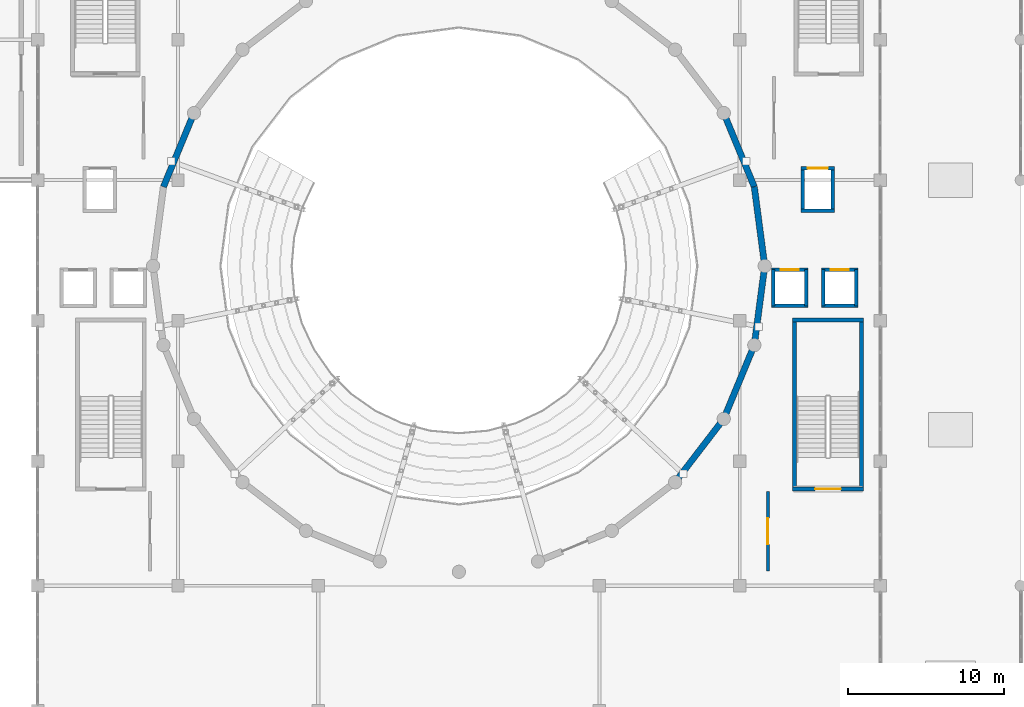
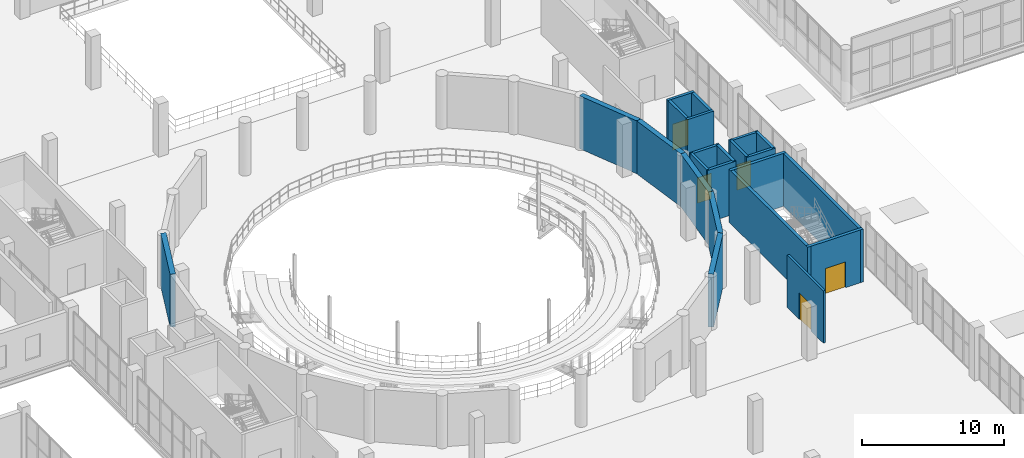
# One storey, part 72 of 93: 23 walls, 5 doors, 5 openings.
"""IFC4 building model written with IfcOpenShell, lengths in metres."""

from ifc_helpers import new_model, si_unit, direction, frame, frame_2d, origin, place, context, subcontext, project, spatial, rectangle, extrude, material, layer, layer_set, type_object, element, fill, save


model = new_model("IFC4")

# Units and contexts
model_context = context("Model", 3, precision=1e-05, world=origin(), true_north=direction((0.0, 1.0)))
body_context = subcontext(model_context, "Body", "Model", "MODEL_VIEW")
ifc_project = project(units=[si_unit("LENGTHUNIT", "METRE"), si_unit("AREAUNIT", "SQUARE_METRE"), si_unit("VOLUMEUNIT", "CUBIC_METRE"), si_unit("PLANEANGLEUNIT", "RADIAN"), si_unit("MASSUNIT", "GRAM", prefix="KILO")], contexts=[model_context])

# Site, building, storey
site_placement = place(None, origin())
site = spatial("IfcSite", under=ifc_project, at=site_placement, CompositionType="ELEMENT")
building_placement = place(site_placement, origin())
building = spatial("IfcBuilding", under=site, at=building_placement, Name="Marnock Terrace Opera House", CompositionType="ELEMENT")
storey_placement = place(building_placement, frame((0.0, 0.0, 5.39990234375)))
storey = spatial("IfcBuildingStorey", under=building, at=storey_placement, Name="L01", CompositionType="ELEMENT", Elevation=5.39990234375)

# Wall, opening, door
ifc_material_1 = material(Name="Rendered acoustic concrete blockwork", Category="masonry")
ifc_layer_1 = layer(ifc_material_1, 0.18505859375)
ifc_layer_set_1 = layer_set([ifc_layer_1], Name="Rendered acoustic concrete blockwork")
wall_type_1 = type_object("IfcWallType", Name="IW-FIRE-185", PredefinedType="PARTITIONING", material=ifc_layer_set_1)
wall_1_placement = place(storey_placement, frame((101.800048828125, 40.949951171875, 0.0), z_axis=(0.0, 0.0, 1.0), x_axis=(0.0, 1.0, 0.0)))
wall_1 = element("IfcWall", 1, at=wall_1_placement, inside=storey, type_object=wall_type_1, Name="L01 C2 fire-rated lift and stair lobby wall", PredefinedType="PARTITIONING", context=body_context, shape_type="SweptSolid", body=[
    extrude(rectangle(XDim=5.10009765625, YDim=0.18505859375, at=frame_2d((2.550048828125, 0.0))), origin(), (0.0, 0.0, 1.0), 4.489990234375),
])
opening_1_placement = place(wall_1_placement, frame((1.7099609375, 0.0, 0.0)))
opening_1 = element("IfcOpeningElement", 2, at=opening_1_placement, cuts=wall_1, Name="Opening FD-C2-L01", PredefinedType="OPENING", context=body_context, shape_type="SweptSolid", body=[
    extrude(rectangle(XDim=1.679931640625, YDim=2.25, at=frame_2d((0.83984375, 1.125))), frame((0.0, 0.1025390625, 0.0), z_axis=(0.0, -1.0, 0.0), x_axis=(1.0, 0.0, 0.0)), (0.0, 0.0, 1.0), 0.205078125),
])
ifc_material_2 = material(Name="Fire-rated acoustic timber-core door assembly", Category="wood")
door_type_1 = type_object("IfcDoorType", Name="DT-LOBBY-1680", OperationType="NOTDEFINED", PredefinedType="DOOR", material=ifc_material_2)
door_1_placement = place(opening_1_placement, origin())
door_1 = element("IfcDoor", 3, at=door_1_placement, inside=storey, type_object=door_type_1, Name="L01 C2 lobby self-closing smoke door", OperationType="SINGLE_SWING_RIGHT", OverallHeight=2.25, OverallWidth=1.679931640625, PredefinedType="DOOR", context=body_context, shape_type="SweptSolid", body=[
    extrude(rectangle(XDim=1.679931640625, YDim=2.25, at=frame_2d((0.83984375, 1.125))), frame((0.0, 0.02490234375, 0.0), z_axis=(0.0, -1.0, 0.0), x_axis=(1.0, 0.0, 0.0)), (0.0, 0.0, 1.0), 0.050048828125),
])
fill(opening_1, door_1)

ifc_layer_2 = layer(ifc_material_1, 0.22509765625)
ifc_layer_set_2 = layer_set([ifc_layer_2], Name="Rendered acoustic concrete blockwork")
wall_type_2 = type_object("IfcWallType", Name="IW-SHAFT-225", PredefinedType="SOLIDWALL", material=ifc_layer_set_2)
wall_2_placement = place(storey_placement, frame((102.027587890625, 60.260009765625, 0.0), z_axis=(0.0, 0.0, 1.0), x_axis=(1.0, 0.0, 0.0)))
wall_2 = element("IfcWall", 4, at=wall_2_placement, inside=storey, type_object=wall_type_2, Name="L01 Lift PL-03 front shaft wall", PredefinedType="SOLIDWALL", context=body_context, shape_type="SweptSolid", body=[
    extrude(rectangle(XDim=2.344970703125, YDim=0.22509765625, at=frame_2d((1.17236328125, 0.0))), origin(), (0.0, 0.0, 1.0), 4.489990234375),
])
opening_2_placement = place(wall_2_placement, frame((0.597412109375, 0.0, 0.0)))
opening_2 = element("IfcOpeningElement", 5, at=opening_2_placement, cuts=wall_2, Name="Opening LD-PL-03-L01", PredefinedType="OPENING", context=body_context, shape_type="SweptSolid", body=[
    extrude(rectangle(XDim=1.14990234375, YDim=2.199951171875, at=frame_2d((0.574951171875, 1.10009765625))), frame((0.0, 0.12255859375, 0.0), z_axis=(0.0, -1.0, 0.0), x_axis=(1.0, 0.0, 0.0)), (0.0, 0.0, 1.0), 0.2451171875),
])
ifc_material_3 = material(Name="Brushed stainless steel landing door assembly", Category="steel")
door_type_2 = type_object("IfcDoorType", Name="DT-LIFT-1150", OperationType="NOTDEFINED", PredefinedType="DOOR", material=ifc_material_3)
door_2_placement = place(opening_2_placement, origin())
door_2 = element("IfcDoor", 6, at=door_2_placement, inside=storey, type_object=door_type_2, Name="L01 Lift PL-03 sliding landing door", OperationType="DOUBLE_DOOR_SLIDING", OverallHeight=2.199951171875, OverallWidth=1.14990234375, PredefinedType="DOOR", context=body_context, shape_type="SweptSolid", body=[
    extrude(rectangle(XDim=1.14990234375, YDim=2.199951171875, at=frame_2d((0.574951171875, 1.10009765625))), frame((0.0, 0.02490234375, 0.0), z_axis=(0.0, -1.0, 0.0), x_axis=(1.0, 0.0, 0.0)), (0.0, 0.0, 1.0), 0.050048828125),
])
fill(opening_2, door_2)

# Walls
wall_3_placement = place(storey_placement, frame((102.027587890625, 57.93994140625, 0.0), z_axis=(0.0, 0.0, 1.0), x_axis=(1.0, 0.0, 0.0)))
element("IfcWall", 7, at=wall_3_placement, inside=storey, type_object=wall_type_2, Name="L01 Lift PL-03 rear shaft wall", PredefinedType="SOLIDWALL", context=body_context, shape_type="SweptSolid", body=[
    extrude(rectangle(XDim=2.344970703125, YDim=0.22509765625, at=frame_2d((1.17236328125, 0.0))), origin(), (0.0, 0.0, 1.0), 4.489990234375),
])
for number, where, z_axis, x_axis, name in (
    (8, (102.139892578125, 57.93994140625, 0.0), (0.0, 0.0, 1.0), (0.0, 1.0, 0.0), "L01 Lift PL-03 west shaft wall"),
    (9, (104.260009765625, 57.93994140625, 0.0), (0.0, 0.0, 1.0), (0.0, 1.0, 0.0), "L01 Lift PL-03 east shaft wall"),
):
    element("IfcWall", number, at=place(storey_placement, frame(where, z_axis=z_axis, x_axis=x_axis)), inside=storey, type_object=wall_type_2, Name=name, PredefinedType="SOLIDWALL", context=body_context, shape_type="SweptSolid", body=[
        extrude(rectangle(XDim=2.320068359375, YDim=0.22509765625, at=frame_2d((1.16015625, 0.0))), origin(), (0.0, 0.0, 1.0), 4.489990234375),
    ])

# Wall, opening, door
wall_4_placement = place(storey_placement, frame((105.2275390625, 60.260009765625, 0.0), z_axis=(0.0, 0.0, 1.0), x_axis=(1.0, 0.0, 0.0)))
wall_4 = element("IfcWall", 10, at=wall_4_placement, inside=storey, type_object=wall_type_2, Name="L01 Lift PL-04 front shaft wall", PredefinedType="SOLIDWALL", context=body_context, shape_type="SweptSolid", body=[
    extrude(rectangle(XDim=2.344970703125, YDim=0.22509765625, at=frame_2d((1.17236328125, 0.0))), origin(), (0.0, 0.0, 1.0), 4.489990234375),
])
opening_3_placement = place(wall_4_placement, frame((0.597412109375, 0.0, 0.0)))
opening_3 = element("IfcOpeningElement", 11, at=opening_3_placement, cuts=wall_4, Name="Opening LD-PL-04-L01", PredefinedType="OPENING", context=body_context, shape_type="SweptSolid", body=[
    extrude(rectangle(XDim=1.14990234375, YDim=2.199951171875, at=frame_2d((0.574951171875, 1.10009765625))), frame((0.0, 0.12255859375, 0.0), z_axis=(0.0, -1.0, 0.0), x_axis=(1.0, 0.0, 0.0)), (0.0, 0.0, 1.0), 0.2451171875),
])
door_3_placement = place(opening_3_placement, origin())
door_3 = element("IfcDoor", 12, at=door_3_placement, inside=storey, type_object=door_type_2, Name="L01 Lift PL-04 sliding landing door", OperationType="DOUBLE_DOOR_SLIDING", OverallHeight=2.199951171875, OverallWidth=1.14990234375, PredefinedType="DOOR", context=body_context, shape_type="SweptSolid", body=[
    extrude(rectangle(XDim=1.14990234375, YDim=2.199951171875, at=frame_2d((0.574951171875, 1.10009765625))), frame((0.0, 0.02490234375, 0.0), z_axis=(0.0, -1.0, 0.0), x_axis=(1.0, 0.0, 0.0)), (0.0, 0.0, 1.0), 0.050048828125),
])
fill(opening_3, door_3)

# Walls
wall_5_placement = place(storey_placement, frame((105.2275390625, 57.93994140625, 0.0), z_axis=(0.0, 0.0, 1.0), x_axis=(1.0, 0.0, 0.0)))
element("IfcWall", 13, at=wall_5_placement, inside=storey, type_object=wall_type_2, Name="L01 Lift PL-04 rear shaft wall", PredefinedType="SOLIDWALL", context=body_context, shape_type="SweptSolid", body=[
    extrude(rectangle(XDim=2.344970703125, YDim=0.22509765625, at=frame_2d((1.17236328125, 0.0))), origin(), (0.0, 0.0, 1.0), 4.489990234375),
])
for number, where, z_axis, x_axis, name in (
    (14, (105.340087890625, 57.93994140625, 0.0), (0.0, 0.0, 1.0), (0.0, 1.0, 0.0), "L01 Lift PL-04 west shaft wall"),
    (15, (107.4599609375, 57.93994140625, 0.0), (0.0, 0.0, 1.0), (0.0, 1.0, 0.0), "L01 Lift PL-04 east shaft wall"),
):
    element("IfcWall", number, at=place(storey_placement, frame(where, z_axis=z_axis, x_axis=x_axis)), inside=storey, type_object=wall_type_2, Name=name, PredefinedType="SOLIDWALL", context=body_context, shape_type="SweptSolid", body=[
        extrude(rectangle(XDim=2.320068359375, YDim=0.22509765625, at=frame_2d((1.16015625, 0.0))), origin(), (0.0, 0.0, 1.0), 4.489990234375),
    ])

# Wall, opening, door
wall_6_placement = place(storey_placement, frame((103.927490234375, 66.760009765625, 0.0), z_axis=(0.0, 0.0, 1.0), x_axis=(1.0, 0.0, 0.0)))
wall_6 = element("IfcWall", 16, at=wall_6_placement, inside=storey, type_object=wall_type_2, Name="L01 Lift EL-02 front shaft wall", PredefinedType="SOLIDWALL", context=body_context, shape_type="SweptSolid", body=[
    extrude(rectangle(XDim=2.14501953125, YDim=0.22509765625, at=frame_2d((1.072509765625, 0.0))), origin(), (0.0, 0.0, 1.0), 4.489990234375),
])
opening_4_placement = place(wall_6_placement, frame((0.422607421875, 0.0, 0.0)))
opening_4 = element("IfcOpeningElement", 17, at=opening_4_placement, cuts=wall_6, Name="Opening LD-EL-02-L01", PredefinedType="OPENING", context=body_context, shape_type="SweptSolid", body=[
    extrude(rectangle(XDim=1.300048828125, YDim=2.25, at=frame_2d((0.64990234375, 1.125))), frame((0.0, 0.12255859375, 0.0), z_axis=(0.0, -1.0, 0.0), x_axis=(1.0, 0.0, 0.0)), (0.0, 0.0, 1.0), 0.2451171875),
])
door_type_3 = type_object("IfcDoorType", Name="DT-LIFT-1300", OperationType="NOTDEFINED", PredefinedType="DOOR", material=ifc_material_3)
door_4_placement = place(opening_4_placement, origin())
door_4 = element("IfcDoor", 18, at=door_4_placement, inside=storey, type_object=door_type_3, Name="L01 Lift EL-02 sliding landing door", OperationType="DOUBLE_DOOR_SLIDING", OverallHeight=2.25, OverallWidth=1.300048828125, PredefinedType="DOOR", context=body_context, shape_type="SweptSolid", body=[
    extrude(rectangle(XDim=1.300048828125, YDim=2.25, at=frame_2d((0.64990234375, 1.125))), frame((0.0, 0.02490234375, 0.0), z_axis=(0.0, -1.0, 0.0), x_axis=(1.0, 0.0, 0.0)), (0.0, 0.0, 1.0), 0.050048828125),
])
fill(opening_4, door_4)

# Walls
wall_7_placement = place(storey_placement, frame((103.927490234375, 64.0400390625, 0.0), z_axis=(0.0, 0.0, 1.0), x_axis=(1.0, 0.0, 0.0)))
element("IfcWall", 19, at=wall_7_placement, inside=storey, type_object=wall_type_2, Name="L01 Lift EL-02 rear shaft wall", PredefinedType="SOLIDWALL", context=body_context, shape_type="SweptSolid", body=[
    extrude(rectangle(XDim=2.14501953125, YDim=0.22509765625, at=frame_2d((1.072509765625, 0.0))), origin(), (0.0, 0.0, 1.0), 4.489990234375),
])
for number, where, z_axis, x_axis, name in (
    (20, (104.0400390625, 64.0400390625, 0.0), (0.0, 0.0, 1.0), (0.0, 1.0, 0.0), "L01 Lift EL-02 west shaft wall"),
    (21, (105.9599609375, 64.0400390625, 0.0), (0.0, 0.0, 1.0), (0.0, 1.0, 0.0), "L01 Lift EL-02 east shaft wall"),
):
    element("IfcWall", number, at=place(storey_placement, frame(where, z_axis=z_axis, x_axis=x_axis)), inside=storey, type_object=wall_type_2, Name=name, PredefinedType="SOLIDWALL", context=body_context, shape_type="SweptSolid", body=[
        extrude(rectangle(XDim=2.719970703125, YDim=0.22509765625, at=frame_2d((1.35986328125, 0.0))), origin(), (0.0, 0.0, 1.0), 4.489990234375),
    ])

# Wall, opening, door
ifc_material_4 = material(Name="Concrete N40 (f'c = 40 MPa)", Category="concrete")
ifc_layer_3 = layer(ifc_material_4, 0.25)
ifc_layer_set_3 = layer_set([ifc_layer_3], Name="Concrete N40 (f'c = 40 MPa)")
wall_type_3 = type_object("IfcWallType", Name="SW-CORE-250", PredefinedType="SHEAR", material=ifc_layer_set_3)
wall_8_placement = place(storey_placement, frame((103.39501953125, 46.199951171875, 0.0), z_axis=(0.0, 0.0, 1.0), x_axis=(1.0, 0.0, 0.0)))
wall_8 = element("IfcWall", 22, at=wall_8_placement, inside=storey, type_object=wall_type_3, Name="L01 Core C2 FRL 120/120/120 shear wall S", PredefinedType="SHEAR", context=body_context, shape_type="SweptSolid", body=[
    extrude(rectangle(XDim=4.530029296875, YDim=0.25, at=frame_2d((2.26513671875, 0.0))), origin(), (0.0, 0.0, 1.0), 4.5400390625),
])
opening_5_placement = place(wall_8_placement, frame((1.43994140625, 0.0, 0.0)))
opening_5 = element("IfcOpeningElement", 23, at=opening_5_placement, cuts=wall_8, Name="Opening SD-C2-L01", PredefinedType="OPENING", context=body_context, shape_type="SweptSolid", body=[
    extrude(rectangle(XDim=1.64990234375, YDim=2.219970703125, at=frame_2d((0.824951171875, 1.10986328125))), frame((0.0, 0.135009765625, 0.0), z_axis=(0.0, -1.0, 0.0), x_axis=(1.0, 0.0, 0.0)), (0.0, 0.0, 1.0), 0.27001953125),
])
door_type_4 = type_object("IfcDoorType", Name="DT-STAIR-1650", OperationType="NOTDEFINED", PredefinedType="DOOR", material=ifc_material_2)
door_5_placement = place(opening_5_placement, origin())
door_5 = element("IfcDoor", 24, at=door_5_placement, inside=storey, type_object=door_type_4, Name="L01 Stair ST-02 fire-isolated exit door", OperationType="SINGLE_SWING_LEFT", OverallHeight=2.219970703125, OverallWidth=1.64990234375, PredefinedType="DOOR", context=body_context, shape_type="SweptSolid", body=[
    extrude(rectangle(XDim=1.64990234375, YDim=2.219970703125, at=frame_2d((0.824951171875, 1.10986328125))), frame((0.0, 0.02490234375, 0.0), z_axis=(0.0, -1.0, 0.0), x_axis=(1.0, 0.0, 0.0)), (0.0, 0.0, 1.0), 0.050048828125),
])
fill(opening_5, door_5)

# Walls
wall_9_placement = place(storey_placement, frame((103.39501953125, 57.0400390625, 0.0), z_axis=(0.0, 0.0, 1.0), x_axis=(1.0, 0.0, 0.0)))
element("IfcWall", 25, at=wall_9_placement, inside=storey, type_object=wall_type_3, Name="L01 Core C2 FRL 120/120/120 shear wall N", PredefinedType="SHEAR", context=body_context, shape_type="SweptSolid", body=[
    extrude(rectangle(XDim=4.530029296875, YDim=0.25, at=frame_2d((2.26513671875, 0.0))), origin(), (0.0, 0.0, 1.0), 4.5400390625),
])
for number, where, z_axis, x_axis, name in (
    (26, (103.52001953125, 46.074951171875, 0.0), (0.0, 0.0, 1.0), (0.0, 1.0, 0.0), "L01 Core C2 FRL 120/120/120 shear wall W"),
    (27, (107.800048828125, 46.074951171875, 0.0), (0.0, 0.0, 1.0), (0.0, 1.0, 0.0), "L01 Core C2 FRL 120/120/120 shear wall E"),
):
    element("IfcWall", number, at=place(storey_placement, frame(where, z_axis=z_axis, x_axis=x_axis)), inside=storey, type_object=wall_type_3, Name=name, PredefinedType="SHEAR", context=body_context, shape_type="SweptSolid", body=[
        extrude(rectangle(XDim=11.090087890625, YDim=0.25, at=frame_2d((5.544921875, 0.0))), origin(), (0.0, 0.0, 1.0), 4.5400390625),
    ])
ifc_material_5 = material(Name="Concrete N50 (f'c = 50 MPa)", Category="concrete")
ifc_layer_4 = layer(ifc_material_5, 0.39990234375)
ifc_layer_set_4 = layer_set([ifc_layer_4], Name="Concrete N50 (f'c = 50 MPa)")
wall_type_4 = type_object("IfcWallType", Name="SW-DRUM-400", PredefinedType="SHEAR", material=ifc_layer_set_4)
wall_10_placement = place(storey_placement, frame((101.60009765625, 60.5, 0.0), z_axis=(0.0, 0.0, 1.0), x_axis=(-0.130591512704, 0.99143625958, 0.0)))
element("IfcWall", 28, at=wall_10_placement, inside=storey, type_object=wall_type_4, Name="L01 cylindrical auditorium drum shear wall 1", PredefinedType="SHEAR", context=body_context, shape_type="SweptSolid", body=[
    extrude(rectangle(XDim=5.11669921875, YDim=0.39990234375, at=frame_2d((2.558349609375, 0.0))), origin(), (0.0, 0.0, 1.0), 4.5400390625),
])
for number, where, z_axis, x_axis, name in (
    (29, (100.931884765625, 65.572998046875, 0.0), (0.0, 0.0, 1.0), (-0.382642581018, 0.923896452635, 0.0), "L01 cylindrical auditorium drum shear wall 2"),
    (30, (65.02587890625, 70.300048828125, 0.0), (0.0, 0.0, 1.0), (-0.382642581018, -0.923896452635, 0.0), "L01 cylindrical auditorium drum shear wall 11"),
    (31, (95.85888671875, 46.64111328125, 0.0), (0.0, 0.0, 1.0), (0.608857194409, 0.793279847731, 0.0), "L01 cylindrical auditorium drum shear wall 22"),
    (32, (98.97412109375, 50.699951171875, 0.0), (0.0, 0.0, 1.0), (0.382642581018, 0.923896452635, 0.0), "L01 cylindrical auditorium drum shear wall 23"),
):
    element("IfcWall", number, at=place(storey_placement, frame(where, z_axis=z_axis, x_axis=x_axis)), inside=storey, type_object=wall_type_4, Name=name, PredefinedType="SHEAR", context=body_context, shape_type="SweptSolid", body=[
        extrude(rectangle(XDim=5.116455078125, YDim=0.39990234375, at=frame_2d((2.55810546875, 0.0))), origin(), (0.0, 0.0, 1.0), 4.5400390625),
    ])
wall_11_placement = place(storey_placement, frame((100.931884765625, 55.427001953125, 0.0), z_axis=(0.0, 0.0, 1.0), x_axis=(0.130591512704, 0.99143625958, 0.0)))
element("IfcWall", 33, at=wall_11_placement, inside=storey, type_object=wall_type_4, Name="L01 cylindrical auditorium drum shear wall 24", PredefinedType="SHEAR", context=body_context, shape_type="SweptSolid", body=[
    extrude(rectangle(XDim=5.11669921875, YDim=0.39990234375, at=frame_2d((2.558349609375, 0.0))), origin(), (0.0, 0.0, 1.0), 4.5400390625),
])

save(model, "model.ifc")
